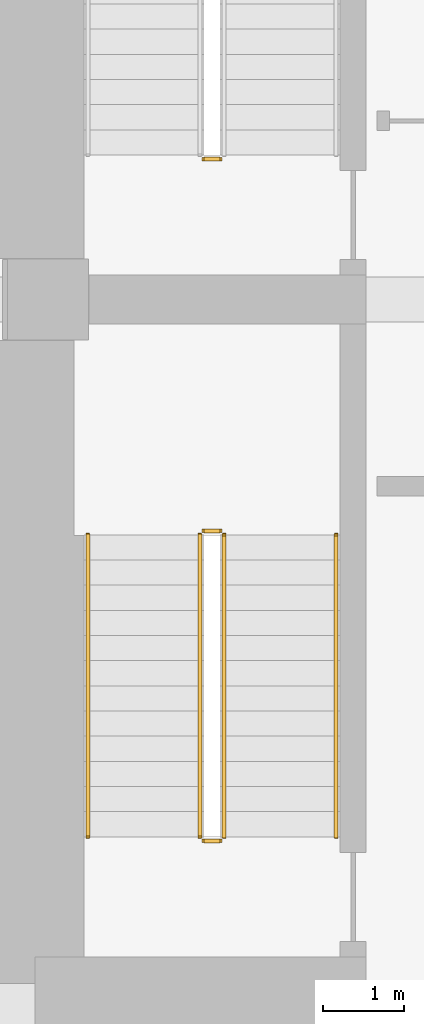
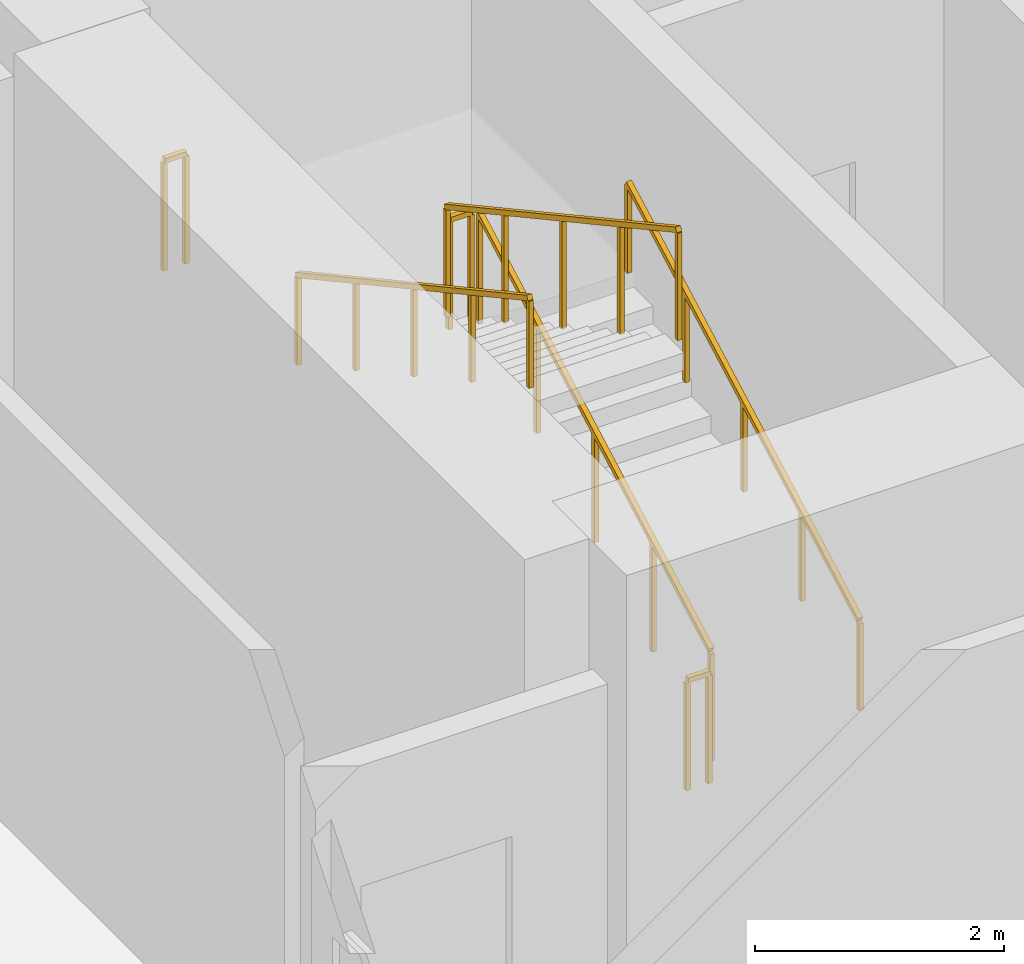
# One storey, part 11 of 15: 7 railings.
"""IFC4 building model written with IfcOpenShell, lengths in metres."""

from ifc_helpers import new_model, si_unit, direction, frame, origin, origin_2d, place, context, subcontext, project, spatial, rectangle, extrude, material, type_object, element, save


model = new_model("IFC4")

# Units and contexts
model_context = context("Model", 3, precision=1e-05, world=origin(), true_north=direction((0.0, 1.0)))
body_context = subcontext(model_context, "Body", "Model", "MODEL_VIEW")
ifc_project = project(units=[si_unit("LENGTHUNIT", "METRE"), si_unit("AREAUNIT", "SQUARE_METRE"), si_unit("VOLUMEUNIT", "CUBIC_METRE"), si_unit("PLANEANGLEUNIT", "RADIAN"), si_unit("MASSUNIT", "GRAM", prefix="KILO")], contexts=[model_context])

# Site, building, storey
site_placement = place(None, origin())
site = spatial("IfcSite", under=ifc_project, at=site_placement, CompositionType="ELEMENT")
building_placement = place(site_placement, origin())
building = spatial("IfcBuilding", under=site, at=building_placement, Name="Solanera Arch Residences", CompositionType="ELEMENT")
storey_placement = place(building_placement, frame((0.0, 0.0, -8.800048828125)))
storey = spatial("IfcBuildingStorey", under=building, at=storey_placement, Name="B02", CompositionType="ELEMENT", Elevation=-8.800048828125)

# Railings
ifc_material_1 = material(Name="Steel S355 (ASTM A992 / A572 Grade 50)", Category="steel")
railing_type_1 = type_object("IfcRailingType", Name="Stair Guardrail GR-1100", PredefinedType="GUARDRAIL", material=ifc_material_1)
railing_1_placement = place(storey_placement, frame((15.52001953125, 32.429931640625, -0.014892578125)))
element("IfcRailing", 1, at=railing_1_placement, inside=storey, type_object=railing_type_1, Name="B02 ST-T1 stair guard 4", PredefinedType="GUARDRAIL", context=body_context, shape_type="SweptSolid", body=[
    extrude(rectangle(XDim=0.048095703125, YDim=0.048095703125, at=origin_2d()), frame((0.0, 0.0, 1.076171875), z_axis=(-1.0, 0.0, 0.0), x_axis=(0.0, -1.0, 0.0)), (0.0, 0.0, 1.0), 0.199951171875),
    extrude(rectangle(XDim=0.0419921875, YDim=0.0419921875, at=origin_2d()), origin(), (0.0, 0.0, 1.0), 1.052001953125),
    extrude(rectangle(XDim=0.0419921875, YDim=0.0419921875, at=origin_2d()), frame((-0.199951171875, 0.0, 0.0)), (0.0, 0.0, 1.0), 1.052001953125),
])
railing_2_placement = place(storey_placement, frame((15.570068359375, 24.080078125, 0.154296875)))
element("IfcRailing", 2, at=railing_2_placement, inside=storey, type_object=railing_type_1, Name="B02 ST-T3 stair guard 1", PredefinedType="GUARDRAIL", context=body_context, shape_type="SweptSolid", body=[
    extrude(rectangle(XDim=0.048095703125, YDim=0.048095703125, at=origin_2d()), frame((0.0, 0.0, 1.076171875), z_axis=(0.0, 0.877728207833, 0.479158839191), x_axis=(-1.0, 0.0, 0.0)), (0.0, 0.0, 1.0), 4.23828125),
    extrude(rectangle(XDim=0.0419921875, YDim=0.0419921875, at=origin_2d()), origin(), (0.0, 0.0, 1.0), 1.052001953125),
    extrude(rectangle(XDim=0.0419921875, YDim=0.0419921875, at=origin_2d()), frame((0.0, 0.929931640625, 0.5078125)), (0.0, 0.0, 1.0), 1.052001953125),
    extrude(rectangle(XDim=0.0419921875, YDim=0.0419921875, at=origin_2d()), frame((0.0, 1.85986328125, 1.015380859375)), (0.0, 0.0, 1.0), 1.052001953125),
    extrude(rectangle(XDim=0.0419921875, YDim=0.0419921875, at=origin_2d()), frame((0.0, 2.7900390625, 1.52294921875)), (0.0, 0.0, 1.0), 1.052001953125),
    extrude(rectangle(XDim=0.0419921875, YDim=0.0419921875, at=origin_2d()), frame((0.0, 3.719970703125, 2.03076171875)), (0.0, 0.0, 1.0), 1.052001953125),
])
railing_3_placement = place(storey_placement, frame((15.52001953125, 27.85009765625, 2.18505859375)))
element("IfcRailing", 3, at=railing_3_placement, inside=storey, type_object=railing_type_1, Name="B02 ST-T3 stair guard 2", PredefinedType="GUARDRAIL", context=body_context, shape_type="SweptSolid", body=[
    extrude(rectangle(XDim=0.048095703125, YDim=0.048095703125, at=origin_2d()), frame((0.0, 0.0, 1.076171875), z_axis=(-1.0, 0.0, 0.0), x_axis=(0.0, -1.0, 0.0)), (0.0, 0.0, 1.0), 0.199951171875),
    extrude(rectangle(XDim=0.0419921875, YDim=0.0419921875, at=origin_2d()), origin(), (0.0, 0.0, 1.0), 1.052001953125),
    extrude(rectangle(XDim=0.0419921875, YDim=0.0419921875, at=origin_2d()), frame((-0.199951171875, 0.0, 0.0)), (0.0, 0.0, 1.0), 1.052001953125),
])
railing_4_placement = place(storey_placement, frame((15.27001953125, 27.800048828125, 2.354248046875)))
element("IfcRailing", 4, at=railing_4_placement, inside=storey, type_object=railing_type_1, Name="B02 ST-T3 stair guard 3", PredefinedType="GUARDRAIL", context=body_context, shape_type="SweptSolid", body=[
    extrude(rectangle(XDim=0.048095703125, YDim=0.048095703125, at=origin_2d()), frame((0.0, 0.0, 1.076171875), z_axis=(0.0, -0.877728207833, 0.479158839191), x_axis=(1.0, 0.0, 0.0)), (0.0, 0.0, 1.0), 4.23828125),
    extrude(rectangle(XDim=0.0419921875, YDim=0.0419921875, at=origin_2d()), origin(), (0.0, 0.0, 1.0), 1.052001953125),
    extrude(rectangle(XDim=0.0419921875, YDim=0.0419921875, at=origin_2d()), frame((0.0, -0.929931640625, 0.5078125)), (0.0, 0.0, 1.0), 1.052001953125),
    extrude(rectangle(XDim=0.0419921875, YDim=0.0419921875, at=origin_2d()), frame((0.0, -1.85986328125, 1.015380859375)), (0.0, 0.0, 1.0), 1.052001953125),
    extrude(rectangle(XDim=0.0419921875, YDim=0.0419921875, at=origin_2d()), frame((0.0, -2.7900390625, 1.52294921875)), (0.0, 0.0, 1.0), 1.052001953125),
    extrude(rectangle(XDim=0.0419921875, YDim=0.0419921875, at=origin_2d()), frame((0.0, -3.719970703125, 2.03076171875)), (0.0, 0.0, 1.0), 1.052001953125),
])
railing_5_placement = place(storey_placement, frame((15.52001953125, 24.030029296875, -0.014892578125)))
element("IfcRailing", 5, at=railing_5_placement, inside=storey, type_object=railing_type_1, Name="B02 ST-T3 stair guard 4", PredefinedType="GUARDRAIL", context=body_context, shape_type="SweptSolid", body=[
    extrude(rectangle(XDim=0.048095703125, YDim=0.048095703125, at=origin_2d()), frame((0.0, 0.0, 1.076171875), z_axis=(-1.0, 0.0, 0.0), x_axis=(0.0, -1.0, 0.0)), (0.0, 0.0, 1.0), 0.199951171875),
    extrude(rectangle(XDim=0.0419921875, YDim=0.0419921875, at=origin_2d()), origin(), (0.0, 0.0, 1.0), 1.052001953125),
    extrude(rectangle(XDim=0.0419921875, YDim=0.0419921875, at=origin_2d()), frame((-0.199951171875, 0.0, 0.0)), (0.0, 0.0, 1.0), 1.052001953125),
])
ifc_material_2 = material(Name="Steel S355 (ASTM A992 / A572 Grade 50)", Category="steel")
railing_type_2 = type_object("IfcRailingType", Name="Stair Wall Handrail HR-920", PredefinedType="HANDRAIL", material=ifc_material_2)
railing_6_placement = place(storey_placement, frame((16.949951171875, 24.080078125, 0.169189453125)))
element("IfcRailing", 6, at=railing_6_placement, inside=storey, type_object=railing_type_2, Name="B02 ST-T3 stair handrail 1", PredefinedType="HANDRAIL", context=body_context, shape_type="SweptSolid", body=[
    extrude(rectangle(XDim=0.048095703125, YDim=0.048095703125, at=origin_2d()), frame((0.0, 0.0, 0.8759765625), z_axis=(0.0, 0.877728207833, 0.479158839191), x_axis=(-1.0, 0.0, 0.0)), (0.0, 0.0, 1.0), 4.23828125),
    extrude(rectangle(XDim=0.0419921875, YDim=0.0419921875, at=origin_2d()), origin(), (0.0, 0.0, 1.0), 0.851806640625),
    extrude(rectangle(XDim=0.0419921875, YDim=0.0419921875, at=origin_2d()), frame((0.0, 0.929931640625, 0.5078125)), (0.0, 0.0, 1.0), 0.851806640625),
    extrude(rectangle(XDim=0.0419921875, YDim=0.0419921875, at=origin_2d()), frame((0.0, 1.85986328125, 1.015380859375)), (0.0, 0.0, 1.0), 0.851806640625),
    extrude(rectangle(XDim=0.0419921875, YDim=0.0419921875, at=origin_2d()), frame((0.0, 2.7900390625, 1.52294921875)), (0.0, 0.0, 1.0), 0.851806640625),
    extrude(rectangle(XDim=0.0419921875, YDim=0.0419921875, at=origin_2d()), frame((0.0, 3.719970703125, 2.03076171875)), (0.0, 0.0, 1.0), 0.851806640625),
])
railing_7_placement = place(storey_placement, frame((13.889892578125, 27.800048828125, 2.369384765625)))
element("IfcRailing", 7, at=railing_7_placement, inside=storey, type_object=railing_type_2, Name="B02 ST-T3 stair handrail 2", PredefinedType="HANDRAIL", context=body_context, shape_type="SweptSolid", body=[
    extrude(rectangle(XDim=0.048095703125, YDim=0.048095703125, at=origin_2d()), frame((0.0, 0.0, 0.8759765625), z_axis=(0.0, -0.877728207833, 0.479158839191), x_axis=(1.0, 0.0, 0.0)), (0.0, 0.0, 1.0), 4.23828125),
    extrude(rectangle(XDim=0.0419921875, YDim=0.0419921875, at=origin_2d()), origin(), (0.0, 0.0, 1.0), 0.851806640625),
    extrude(rectangle(XDim=0.0419921875, YDim=0.0419921875, at=origin_2d()), frame((0.0, -0.929931640625, 0.5078125)), (0.0, 0.0, 1.0), 0.851806640625),
    extrude(rectangle(XDim=0.0419921875, YDim=0.0419921875, at=origin_2d()), frame((0.0, -1.85986328125, 1.015380859375)), (0.0, 0.0, 1.0), 0.851806640625),
    extrude(rectangle(XDim=0.0419921875, YDim=0.0419921875, at=origin_2d()), frame((0.0, -2.7900390625, 1.52294921875)), (0.0, 0.0, 1.0), 0.851806640625),
    extrude(rectangle(XDim=0.0419921875, YDim=0.0419921875, at=origin_2d()), frame((0.0, -3.719970703125, 2.03076171875)), (0.0, 0.0, 1.0), 0.851806640625),
])

save(model, "model.ifc")
